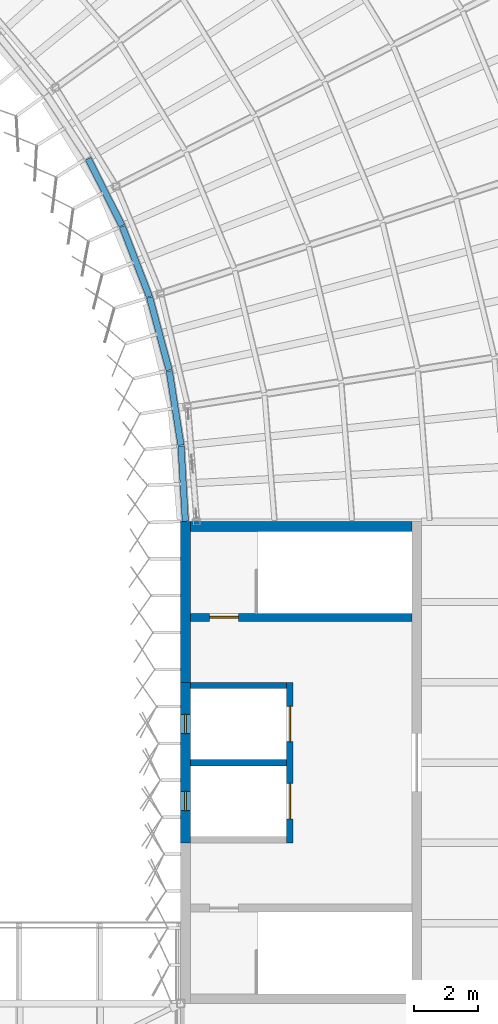
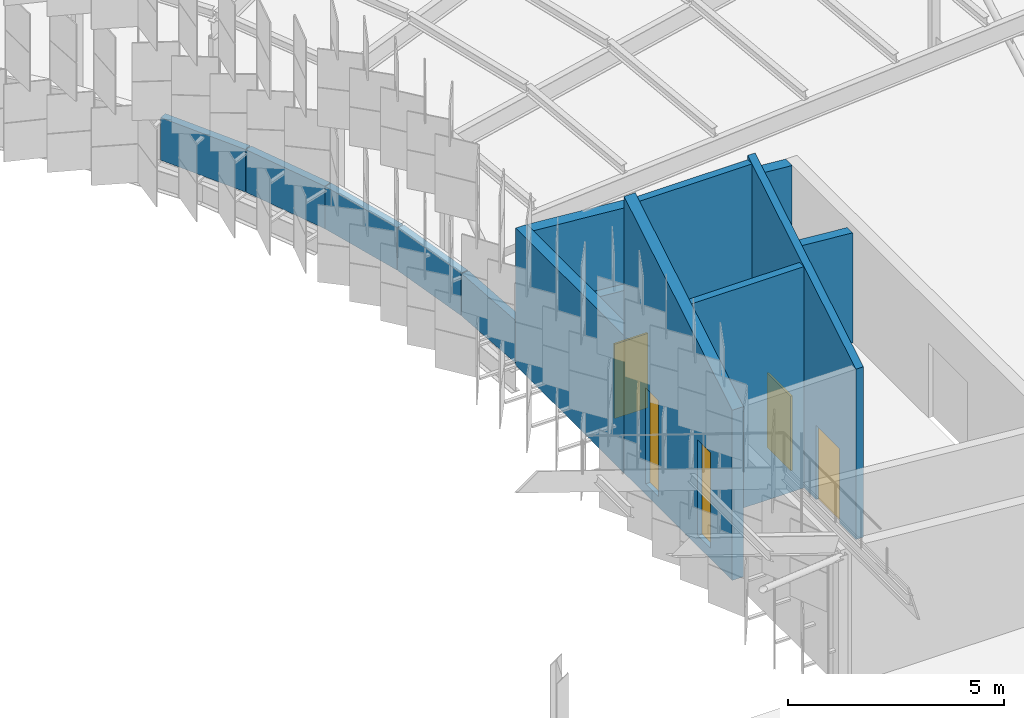
# One storey, part 124 of 483: 12 walls, 3 doors, 2 windows, 5 openings.
"""IFC4 building model written with IfcOpenShell, lengths in metres."""

from ifc_helpers import new_model, si_unit, direction, frame, frame_2d, origin, place, context, subcontext, project, spatial, polyline, rectangle, outline, extrude, material, layer, layer_set, type_object, element, fill, save


model = new_model("IFC4")

# Units and contexts
model_context = context("Model", 3, precision=1e-05, world=origin(), true_north=direction((0.0, 1.0)))
body_context = subcontext(model_context, "Body", "Model", "MODEL_VIEW")
ifc_project = project(units=[si_unit("LENGTHUNIT", "METRE"), si_unit("AREAUNIT", "SQUARE_METRE"), si_unit("VOLUMEUNIT", "CUBIC_METRE"), si_unit("PLANEANGLEUNIT", "RADIAN"), si_unit("MASSUNIT", "GRAM", prefix="KILO")], contexts=[model_context])

# Site, building, storey
site_placement = place(None, origin())
site = spatial("IfcSite", under=ifc_project, at=site_placement, CompositionType="ELEMENT")
building_placement = place(site_placement, origin())
building = spatial("IfcBuilding", under=site, at=building_placement, Name="Parallax Yard Mobility Hub", CompositionType="ELEMENT")
storey_placement = place(building_placement, frame((0.0, 0.0, 13.199951171875)))
storey = spatial("IfcBuildingStorey", under=building, at=storey_placement, Name="L04", CompositionType="ELEMENT", Elevation=13.199951171875)

# Wall, openings, windows
ifc_material_1 = material(Name="Concrete fc' 35 MPa", Category="concrete")
ifc_layer_1 = layer(ifc_material_1, 0.300048828125)
ifc_layer_set_1 = layer_set([ifc_layer_1], Name="Concrete fc' 35 MPa core wall 300")
wall_type_1 = type_object("IfcWallType", Name="Concrete fc' 35 MPa core wall 300", PredefinedType="SHEAR", material=ifc_layer_set_1)
wall_1_placement = place(storey_placement, frame((195.14990234375, 80.0, 0.0), z_axis=(0.0, 0.0, 1.0), x_axis=(0.0, 1.0, 0.0)))
wall_1 = element("IfcWall", 1, at=wall_1_placement, inside=storey, type_object=wall_type_1, Name="Core C-E back wall part 2 level L04", PredefinedType="SHEAR", context=body_context, shape_type="SweptSolid", body=[
    extrude(outline(polyline([(0.0, 0.0), (5.0, 0.0), (5.0, 7.800048828125), (0.0, 4.800048828125), (0.0, 0.0)])), frame((0.0, 0.14990234375, 0.0), z_axis=(0.0, -1.0, 0.0), x_axis=(1.0, 0.0, 0.0)), (0.0, 0.0, 1.0), 0.300048828125),
])
opening_1_placement = place(wall_1_placement, frame((1.0, 0.0, 0.300048828125)))
opening_1 = element("IfcOpeningElement", 2, at=opening_1_placement, cuts=wall_1, Name="Opening CW-S1", PredefinedType="OPENING", context=body_context, shape_type="SweptSolid", body=[
    extrude(rectangle(XDim=0.60009765625, YDim=2.699951171875, at=frame_2d((0.300048828125, 1.35009765625))), frame((0.0, 0.16015625, 0.0), z_axis=(0.0, -1.0, 0.0), x_axis=(1.0, 0.0, 0.0)), (0.0, 0.0, 1.0), 0.320068359375),
])
opening_2_placement = place(wall_1_placement, frame((3.39990234375, 0.0, 0.300048828125)))
opening_2 = element("IfcOpeningElement", 3, at=opening_2_placement, cuts=wall_1, Name="Opening CW-S1", PredefinedType="OPENING", context=body_context, shape_type="SweptSolid", body=[
    extrude(rectangle(XDim=0.60009765625, YDim=2.699951171875, at=frame_2d((0.300048828125, 1.35009765625))), frame((0.0, 0.16015625, 0.0), z_axis=(0.0, -1.0, 0.0), x_axis=(1.0, 0.0, 0.0)), (0.0, 0.0, 1.0), 0.320068359375),
])
ifc_material_2 = material(Name="Fire-resisting glazing in a steel frame", Category="steel")
window_type = type_object("IfcWindowType", Name="Core slot window 600 x 2700", PartitioningType="SINGLE_PANEL", PredefinedType="WINDOW", material=ifc_material_2)
window_1_placement = place(opening_1_placement, origin())
window_1 = element("IfcWindow", 4, at=window_1_placement, inside=storey, type_object=window_type, Name="Glazed slot 1, core C-E level L04", OverallHeight=2.699951171875, OverallWidth=0.60009765625, PartitioningType="SINGLE_PANEL", PredefinedType="WINDOW", context=body_context, shape_type="SweptSolid", body=[
    extrude(rectangle(XDim=0.60009765625, YDim=2.699951171875, at=frame_2d((0.300048828125, 1.35009765625))), frame((0.0, 0.030029296875, 0.0), z_axis=(0.0, -1.0, 0.0), x_axis=(1.0, 0.0, 0.0)), (0.0, 0.0, 1.0), 0.06005859375),
])
fill(opening_1, window_1)
window_2_placement = place(opening_2_placement, origin())
window_2 = element("IfcWindow", 5, at=window_2_placement, inside=storey, type_object=window_type, Name="Glazed slot 2, core C-E level L04", OverallHeight=2.699951171875, OverallWidth=0.60009765625, PartitioningType="SINGLE_PANEL", PredefinedType="WINDOW", context=body_context, shape_type="SweptSolid", body=[
    extrude(rectangle(XDim=0.60009765625, YDim=2.699951171875, at=frame_2d((0.300048828125, 1.35009765625))), frame((0.0, 0.030029296875, 0.0), z_axis=(0.0, -1.0, 0.0), x_axis=(1.0, 0.0, 0.0)), (0.0, 0.0, 1.0), 0.06005859375),
])
fill(opening_2, window_2)

# Walls
wall_2_placement = place(storey_placement, frame((195.14990234375, 85.0, 0.0), z_axis=(0.0, 0.0, 1.0), x_axis=(0.0, 1.0, 0.0)))
element("IfcWall", 6, at=wall_2_placement, inside=storey, type_object=wall_type_1, Name="Core C-E back wall part 3 level L04", PredefinedType="SHEAR", context=body_context, shape_type="SweptSolid", body=[
    extrude(rectangle(XDim=5.0, YDim=0.300048828125, at=frame_2d((2.5, 0.0))), origin(), (0.0, 0.0, 1.0), 3.875),
])
wall_3_placement = place(storey_placement, frame((202.199951171875, 89.85009765625, 0.0), z_axis=(0.0, 0.0, 1.0), x_axis=(-1.0, 0.0, 0.0)))
element("IfcWall", 7, at=wall_3_placement, inside=storey, type_object=wall_type_1, Name="Core C-E east-side end wall level L04", PredefinedType="SHEAR", context=body_context, shape_type="SweptSolid", body=[
    extrude(outline(polyline([(0.0, 0.0), (6.89990234375, 0.0), (6.89990234375, 3.875), (0.0, 3.300048828125), (0.0, 0.0)])), frame((0.0, 0.14990234375, 0.0), z_axis=(0.0, -1.0, 0.0), x_axis=(1.0, 0.0, 0.0)), (0.0, 0.0, 1.0), 0.300048828125),
])

# Wall, openings, doors
ifc_layer_2 = layer(ifc_material_1, 0.199951171875)
ifc_layer_set_2 = layer_set([ifc_layer_2], Name="Concrete fc' 35 MPa internal core wall 200")
wall_type_2 = type_object("IfcWallType", Name="Concrete fc' 35 MPa internal core wall 200", PredefinedType="STANDARD", material=ifc_layer_set_2)
wall_4_placement = place(storey_placement, frame((198.39990234375, 80.0, 0.0), z_axis=(0.0, 0.0, 1.0), x_axis=(0.0, 1.0, 0.0)))
wall_4 = element("IfcWall", 8, at=wall_4_placement, inside=storey, type_object=wall_type_2, Name="Core C-E lift front 2 part 2 level L04", PredefinedType="STANDARD", context=body_context, shape_type="SweptSolid", body=[
    extrude(outline(polyline([(0.0, 0.0), (5.0, 0.0), (5.0, 7.800048828125), (0.0, 4.800048828125), (0.0, 0.0)])), frame((0.0, 0.10009765625, 0.0), z_axis=(0.0, -1.0, 0.0), x_axis=(1.0, 0.0, 0.0)), (0.0, 0.0, 1.0), 0.199951171875),
])
opening_3_placement = place(wall_4_placement, frame((0.75, 0.0, 0.0)))
opening_3 = element("IfcOpeningElement", 9, at=opening_3_placement, cuts=wall_4, Name="Opening L04-D722", PredefinedType="OPENING", context=body_context, shape_type="SweptSolid", body=[
    extrude(rectangle(XDim=1.10009765625, YDim=2.10009765625, at=frame_2d((0.550048828125, 1.050048828125))), frame((0.0, 0.10986328125, 0.0), z_axis=(0.0, -1.0, 0.0), x_axis=(1.0, 0.0, 0.0)), (0.0, 0.0, 1.0), 0.219970703125),
])
opening_4_placement = place(wall_4_placement, frame((3.14990234375, 0.0, 0.0)))
opening_4 = element("IfcOpeningElement", 10, at=opening_4_placement, cuts=wall_4, Name="Opening L04-D723", PredefinedType="OPENING", context=body_context, shape_type="SweptSolid", body=[
    extrude(rectangle(XDim=1.10009765625, YDim=2.10009765625, at=frame_2d((0.550048828125, 1.050048828125))), frame((0.0, 0.10986328125, 0.0), z_axis=(0.0, -1.0, 0.0), x_axis=(1.0, 0.0, 0.0)), (0.0, 0.0, 1.0), 0.219970703125),
])
ifc_material_3 = material(Name="Stainless steel sliding door and frame", Category="steel")
door_type_1 = type_object("IfcDoorType", Name="Lift landing door 1100 x 2100 FD90", OperationType="DOUBLE_DOOR_SLIDING", PredefinedType="DOOR", material=ifc_material_3)
door_1_placement = place(opening_3_placement, origin())
door_1 = element("IfcDoor", 11, at=door_1_placement, inside=storey, type_object=door_type_1, Name="Lift landing door L04-D722, core C-E level L04", OperationType="DOUBLE_DOOR_SLIDING", OverallHeight=2.10009765625, OverallWidth=1.10009765625, PredefinedType="DOOR", context=body_context, shape_type="SweptSolid", body=[
    extrude(rectangle(XDim=1.10009765625, YDim=2.10009765625, at=frame_2d((0.550048828125, 1.050048828125))), frame((0.0, 0.02490234375, 0.0), z_axis=(0.0, -1.0, 0.0), x_axis=(1.0, 0.0, 0.0)), (0.0, 0.0, 1.0), 0.050048828125),
])
fill(opening_3, door_1)
door_2_placement = place(opening_4_placement, origin())
door_2 = element("IfcDoor", 12, at=door_2_placement, inside=storey, type_object=door_type_1, Name="Lift landing door L04-D723, core C-E level L04", OperationType="DOUBLE_DOOR_SLIDING", OverallHeight=2.10009765625, OverallWidth=1.10009765625, PredefinedType="DOOR", context=body_context, shape_type="SweptSolid", body=[
    extrude(rectangle(XDim=1.10009765625, YDim=2.10009765625, at=frame_2d((0.550048828125, 1.050048828125))), frame((0.0, 0.02490234375, 0.0), z_axis=(0.0, -1.0, 0.0), x_axis=(1.0, 0.0, 0.0)), (0.0, 0.0, 1.0), 0.050048828125),
])
fill(opening_4, door_2)

# Walls
wall_5_placement = place(storey_placement, frame((198.300048828125, 82.5, 0.0), z_axis=(0.0, 0.0, 1.0), x_axis=(-1.0, 0.0, 0.0)))
element("IfcWall", 13, at=wall_5_placement, inside=storey, type_object=wall_type_2, Name="Core C-E lift wall 2 part 2 level L04", PredefinedType="STANDARD", context=body_context, shape_type="SweptSolid", body=[
    extrude(rectangle(XDim=3.0, YDim=0.199951171875, at=frame_2d((1.5, 0.0))), origin(), (0.0, 0.0, 1.0), 6.239990234375),
])
wall_6_placement = place(storey_placement, frame((198.300048828125, 84.89990234375, 0.0), z_axis=(0.0, 0.0, 1.0), x_axis=(-1.0, 0.0, 0.0)))
element("IfcWall", 14, at=wall_6_placement, inside=storey, type_object=wall_type_2, Name="Core C-E lift wall 3 part 3 level L04", PredefinedType="STANDARD", context=body_context, shape_type="SweptSolid", body=[
    extrude(rectangle(XDim=3.0, YDim=0.199951171875, at=frame_2d((1.5, 0.0))), origin(), (0.0, 0.0, 1.0), 7.679931640625),
])

# Wall, opening, door
ifc_layer_3 = layer(ifc_material_1, 0.25)
ifc_layer_set_3 = layer_set([ifc_layer_3], Name="Concrete fc' 35 MPa stair enclosure wall 250")
wall_type_3 = type_object("IfcWallType", Name="Concrete fc' 35 MPa stair enclosure wall 250", PredefinedType="STANDARD", material=ifc_layer_set_3)
wall_7_placement = place(storey_placement, frame((195.300048828125, 87.02490234375, 0.0), z_axis=(0.0, 0.0, 1.0), x_axis=(1.0, 0.0, 0.0)))
wall_7 = element("IfcWall", 15, at=wall_7_placement, inside=storey, type_object=wall_type_3, Name="Core C-E stair 2 partition level L04", PredefinedType="STANDARD", context=body_context, shape_type="SweptSolid", body=[
    extrude(outline(polyline([(0.0, 0.0), (6.89990234375, 0.0), (6.89990234375, 3.10009765625), (0.0, 3.675048828125), (0.0, 0.0)])), frame((0.0, 0.125, 0.0), z_axis=(0.0, -1.0, 0.0), x_axis=(1.0, 0.0, 0.0)), (0.0, 0.0, 1.0), 0.25),
])
opening_5_placement = place(wall_7_placement, frame((0.60009765625, 0.0, 0.0)))
opening_5 = element("IfcOpeningElement", 16, at=opening_5_placement, cuts=wall_7, Name="Opening L04-D721", PredefinedType="OPENING", context=body_context, shape_type="SweptSolid", body=[
    extrude(rectangle(XDim=0.89990234375, YDim=2.10009765625, at=frame_2d((0.449951171875, 1.050048828125))), frame((0.0, 0.135009765625, 0.0), z_axis=(0.0, -1.0, 0.0), x_axis=(1.0, 0.0, 0.0)), (0.0, 0.0, 1.0), 0.27001953125),
])
ifc_material_4 = material(Name="Hollow metal steel door and frame", Category="steel")
door_type_2 = type_object("IfcDoorType", Name="Core door 900 x 2100 FD90", OperationType="NOTDEFINED", PredefinedType="DOOR", material=ifc_material_4)
door_3_placement = place(opening_5_placement, origin())
door_3 = element("IfcDoor", 17, at=door_3_placement, inside=storey, type_object=door_type_2, Name="Stair lobby door L04-D721, core C-E level L04", OperationType="SINGLE_SWING_RIGHT", OverallHeight=2.10009765625, OverallWidth=0.89990234375, PredefinedType="DOOR", context=body_context, shape_type="SweptSolid", body=[
    extrude(rectangle(XDim=0.89990234375, YDim=2.10009765625, at=frame_2d((0.449951171875, 1.050048828125))), frame((0.0, 0.02490234375, 0.0), z_axis=(0.0, -1.0, 0.0), x_axis=(1.0, 0.0, 0.0)), (0.0, 0.0, 1.0), 0.050048828125),
])
fill(opening_5, door_3)

# Walls
ifc_layer_4 = layer(ifc_material_1, 0.199951171875)
ifc_layer_set_4 = layer_set([ifc_layer_4], Name="Roof parapet wall, Concrete fc' 35 MPa precast, 200")
wall_type_4 = type_object("IfcWallType", Name="Roof parapet wall, Concrete fc' 35 MPa precast, 200", PredefinedType="SOLIDWALL", material=ifc_layer_set_4)
wall_8_placement = place(storey_placement, frame((192.119384765625, 101.308837890625, 0.0), z_axis=(0.0, 0.0, 1.0), x_axis=(0.449590912019, -0.893234578277, 0.0)))
element("IfcWall", 18, at=wall_8_placement, inside=storey, type_object=wall_type_4, Name="Roof parapet wall bay 21-2 level L04", PredefinedType="SOLIDWALL", context=body_context, shape_type="SweptSolid", body=[
    extrude(rectangle(XDim=2.33984375, YDim=0.199951171875, at=frame_2d((1.169921875, 0.0))), origin(), (0.0, 0.0, 1.0), 1.199951171875),
])
wall_9_placement = place(storey_placement, frame((193.182861328125, 99.193115234375, 0.0), z_axis=(0.0, 0.0, 1.0), x_axis=(0.359927741427, -0.932980182507, 0.0)))
element("IfcWall", 19, at=wall_9_placement, inside=storey, type_object=wall_type_4, Name="Roof parapet wall bay 21-3 level L04", PredefinedType="SOLIDWALL", context=body_context, shape_type="SweptSolid", body=[
    extrude(rectangle(XDim=2.344970703125, YDim=0.199951171875, at=frame_2d((1.17236328125, 0.0))), origin(), (0.0, 0.0, 1.0), 1.199951171875),
])
wall_10_placement = place(storey_placement, frame((194.032958984375, 96.98681640625, 0.0), z_axis=(0.0, 0.0, 1.0), x_axis=(0.258751705644, -0.965943867327, 0.0)))
element("IfcWall", 20, at=wall_10_placement, inside=storey, type_object=wall_type_4, Name="Roof parapet wall bay 22-1 level L04", PredefinedType="SOLIDWALL", context=body_context, shape_type="SweptSolid", body=[
    extrude(rectangle(XDim=2.34375, YDim=0.199951171875, at=frame_2d((1.171875, 0.0))), origin(), (0.0, 0.0, 1.0), 1.199951171875),
])
wall_11_placement = place(storey_placement, frame((194.645751953125, 94.693359375, 0.0), z_axis=(0.0, 0.0, 1.0), x_axis=(0.154943791819, -0.987923287192, 0.0)))
element("IfcWall", 21, at=wall_11_placement, inside=storey, type_object=wall_type_4, Name="Roof parapet wall bay 22-2 level L04", PredefinedType="SOLIDWALL", context=body_context, shape_type="SweptSolid", body=[
    extrude(rectangle(XDim=2.33837890625, YDim=0.199951171875, at=frame_2d((1.169189453125, 0.0))), origin(), (0.0, 0.0, 1.0), 1.199951171875),
])
wall_12_placement = place(storey_placement, frame((195.010986328125, 92.35546875, 0.0), z_axis=(0.0, 0.0, 1.0), x_axis=(0.057331289228, -0.998355208969, 0.0)))
element("IfcWall", 22, at=wall_12_placement, inside=storey, type_object=wall_type_4, Name="Roof parapet wall bay 22-3 level L04", PredefinedType="SOLIDWALL", context=body_context, shape_type="SweptSolid", body=[
    extrude(rectangle(XDim=2.346435546875, YDim=0.199951171875, at=frame_2d((1.17333984375, 0.0))), origin(), (0.0, 0.0, 1.0), 1.199951171875),
])

save(model, "model.ifc")
